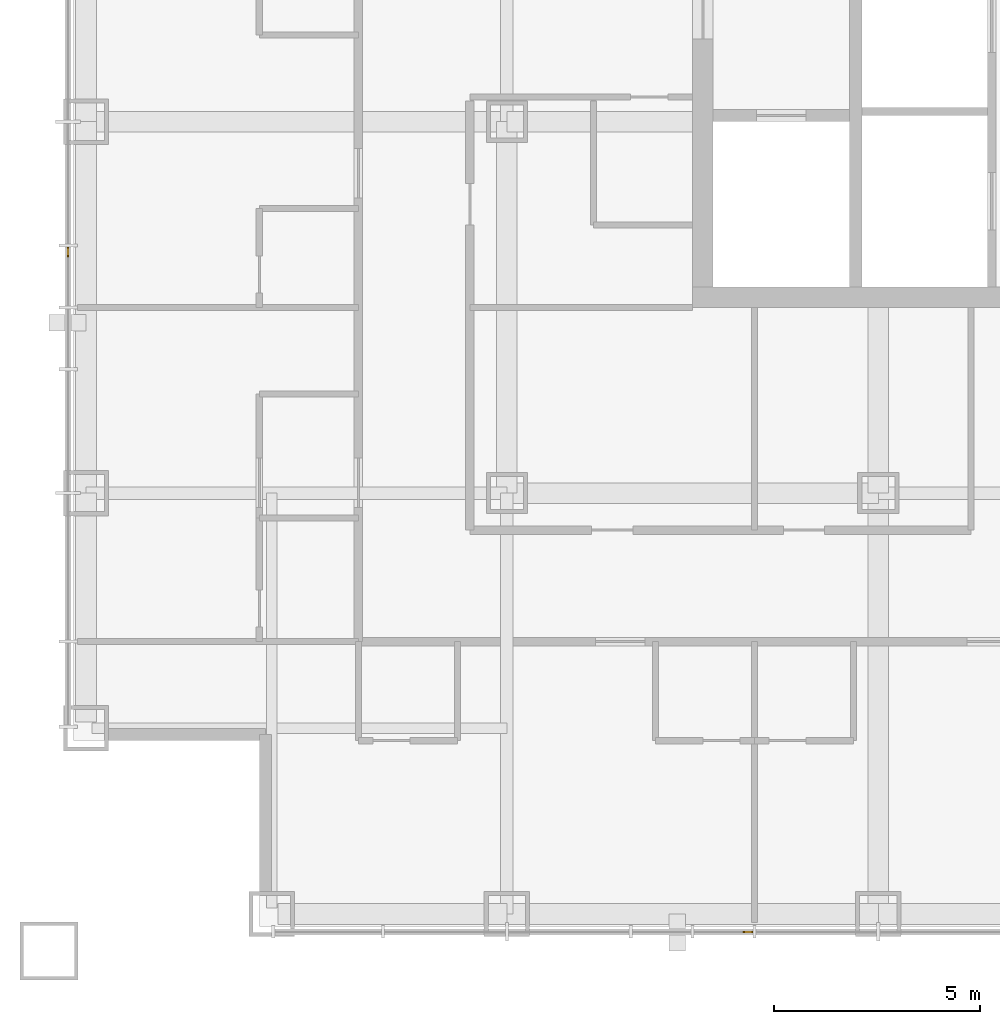
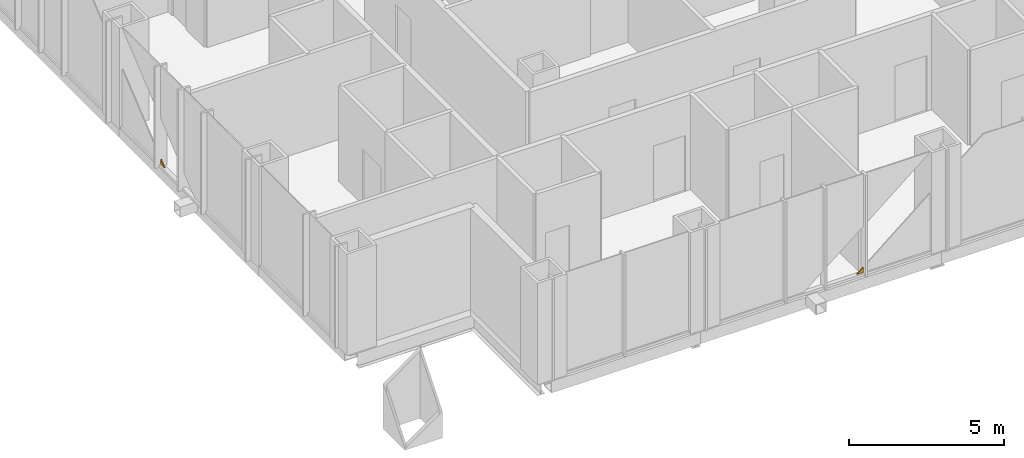
# One storey, part 15 of 18: 2 coverings.
"""IFC4 building model written with IfcOpenShell, lengths in metres."""

from ifc_helpers import new_model, si_unit, direction, frame, origin, place, context, subcontext, project, spatial, polyline, outline, extrude, material, layer, layer_set, type_object, element, save


model = new_model("IFC4")

# Units and contexts
model_context = context("Model", 3, precision=1e-05, world=origin(), true_north=direction((0.0, 1.0)))
body_context = subcontext(model_context, "Body", "Model", "MODEL_VIEW")
ifc_project = project(units=[si_unit("LENGTHUNIT", "METRE"), si_unit("AREAUNIT", "SQUARE_METRE"), si_unit("VOLUMEUNIT", "CUBIC_METRE"), si_unit("PLANEANGLEUNIT", "RADIAN"), si_unit("MASSUNIT", "GRAM", prefix="KILO")], contexts=[model_context])

# Site, building, storey
site_placement = place(None, origin())
site = spatial("IfcSite", under=ifc_project, at=site_placement, CompositionType="ELEMENT")
building_placement = place(site_placement, origin())
building = spatial("IfcBuilding", under=site, at=building_placement, Name="Malebo Sky Hospital", CompositionType="ELEMENT")
storey_placement = place(building_placement, frame((0.0, 0.0, 112.0)))
storey = spatial("IfcBuildingStorey", under=building, at=storey_placement, Name="L26", CompositionType="ELEMENT", Elevation=112.0)

# Coverings
ifc_material = material(Name="Anodised aluminium, natural silver insulated infill panel", Category="aluminium")
ifc_layer = layer(ifc_material, 0.0400390625)
ifc_layer_set = layer_set([ifc_layer], Name="BRACE INFILL PANEL 40")
covering_type = type_object("IfcCoveringType", Name="BRACE INFILL PANEL 40", PredefinedType="CLADDING", material=ifc_layer_set)
covering_1_placement = place(storey_placement, frame((35.864990234375, 54.33984375, 0.10009765625), z_axis=(0.0, 0.0, 1.0), x_axis=(0.0, 1.0, 0.0)))
element("IfcCovering", 1, at=covering_1_placement, inside=storey, type_object=covering_type, Name="Brace infill panel 5.1", PredefinedType="CLADDING", context=body_context, shape_type="SweptSolid", body=[
    extrude(outline(polyline([(-0.122802734375, 0.0), (0.122802734375, 0.0), (0.122802734375, 0.2021484375), (-0.122802734375, 0.0)])), frame((0.0, 0.02001953125, 0.0), z_axis=(0.0, -1.0, 0.0), x_axis=(1.0, 0.0, 0.0)), (0.0, 0.0, 1.0), 0.0400390625),
])
covering_2_placement = place(storey_placement, frame((52.33984375, 37.864990234375, 0.10009765625), z_axis=(0.0, 0.0, 1.0), x_axis=(-1.0, 0.0, 0.0)))
element("IfcCovering", 2, at=covering_2_placement, inside=storey, type_object=covering_type, Name="Brace infill panel 12.1", PredefinedType="CLADDING", context=body_context, shape_type="SweptSolid", body=[
    extrude(outline(polyline([(-0.122802734375, 0.0), (0.122802734375, 0.0), (-0.122802734375, 0.2021484375), (-0.122802734375, 0.0)])), frame((0.0, 0.02001953125, 0.0), z_axis=(0.0, -1.0, 0.0), x_axis=(1.0, 0.0, 0.0)), (0.0, 0.0, 1.0), 0.0400390625),
])

save(model, "model.ifc")
